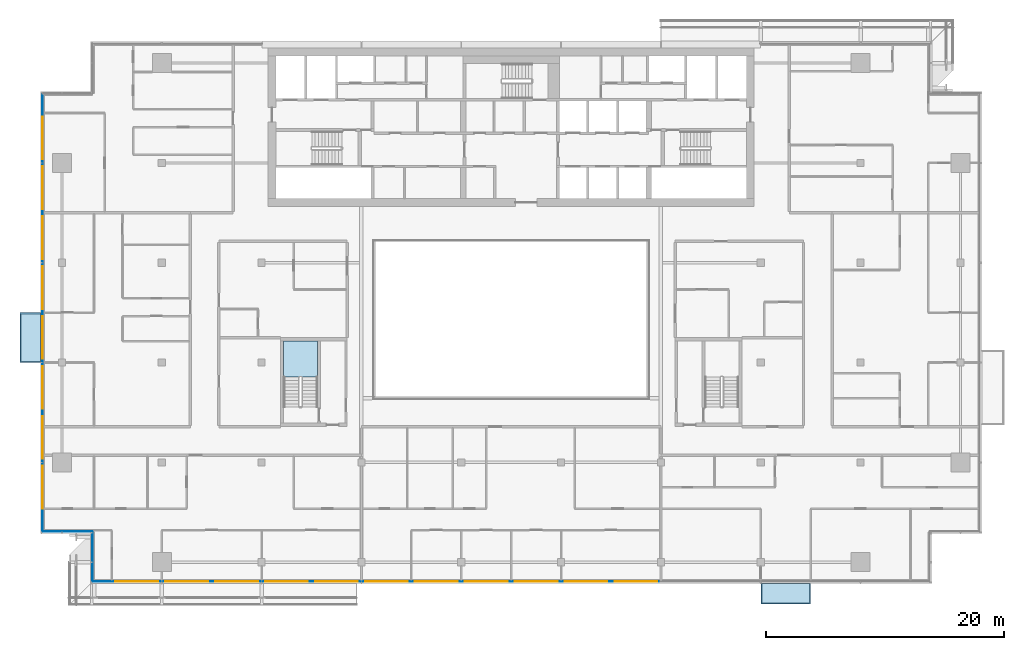
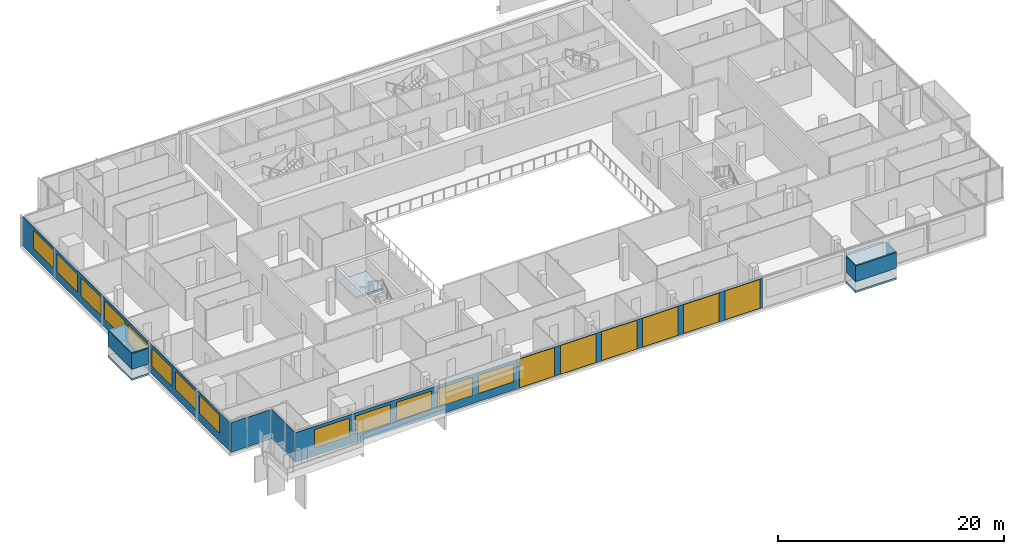
# One storey, part 14 of 29: 19 windows, 9 plates, 3 slabs, 19 openings, 5 elements without a shape of their own.
"""IFC4 building model written with IfcOpenShell, lengths in metres."""

from ifc_helpers import new_model, si_unit, direction, frame, frame_2d, origin, place, context, subcontext, project, spatial, polyline, rectangle, outline, extrude, material, layer, layer_set, type_object, element, fill, aggregate, save


model = new_model("IFC4")

# Units and contexts
model_context = context("Model", 3, precision=1e-05, world=origin(), true_north=direction((0.0, 1.0)))
body_context = subcontext(model_context, "Body", "Model", "MODEL_VIEW")
ifc_project = project(units=[si_unit("LENGTHUNIT", "METRE"), si_unit("AREAUNIT", "SQUARE_METRE"), si_unit("VOLUMEUNIT", "CUBIC_METRE"), si_unit("PLANEANGLEUNIT", "RADIAN"), si_unit("MASSUNIT", "GRAM", prefix="KILO")], contexts=[model_context])

# Site, building, storey
site_placement = place(None, origin())
site = spatial("IfcSite", under=ifc_project, at=site_placement, CompositionType="ELEMENT")
building_placement = place(site_placement, origin())
building = spatial("IfcBuilding", under=site, at=building_placement, Name="Saffron Gate Tower", CompositionType="ELEMENT")
storey_placement = place(building_placement, frame((0.0, 0.0, 227.10009765625)))
storey = spatial("IfcBuildingStorey", under=building, at=storey_placement, Name="L55", CompositionType="ELEMENT", Elevation=227.10009765625)

# Curtain wall, plates, openings, windows
ifc_material_1 = material(Name="Aluminium, bronze anodised", Category="aluminium")
curtain_wall_type_1 = type_object("IfcCurtainWallType", Name="CWS1 curtain wall front facade", PredefinedType="NOTDEFINED", material=ifc_material_1)
curtain_wall_1_placement = place(storey_placement, origin())
curtain_wall_1 = element("IfcCurtainWall", 1, at=curtain_wall_1_placement, inside=storey, type_object=curtain_wall_type_1, Name="CWS1 run 1", PredefinedType="NOTDEFINED")
ifc_material_2 = material(Name="Clear low-iron laminated glass", Category="glass")
ifc_layer_1 = layer(ifc_material_2, 0.028076171875)
ifc_layer_set_1 = layer_set([ifc_layer_1], Name="CWS1 clear glass")
plate_type_1 = type_object("IfcPlateType", Name="CWS1 clear glass", PredefinedType="CURTAIN_PANEL", material=ifc_layer_set_1)
plate_1_placement = place(storey_placement, frame((75.030029296875, 30.174072265625, 0.0), z_axis=(0.0, 0.0, 1.0), x_axis=(1.0, 0.0, 0.0)))
plate_1 = element("IfcPlate", 2, at=plate_1_placement, type_object=plate_type_1, Name="CWS1 clear glass panel", PredefinedType="CURTAIN_PANEL", context=body_context, shape_type="SweptSolid", body=[
    extrude(rectangle(XDim=25.139892578125, YDim=0.028076171875, at=frame_2d((12.56982421875, 0.0))), origin(), (0.0, 0.0, 1.0), 3.199951171875),
])
opening_1_placement = place(plate_1_placement, frame((0.27001953125, 0.0, 0.050048828125)))
opening_1 = element("IfcOpeningElement", 3, at=opening_1_placement, cuts=plate_1, Name="Opening WA", PredefinedType="OPENING", context=body_context, shape_type="SweptSolid", body=[
    extrude(rectangle(XDim=3.60009765625, YDim=3.10009765625, at=frame_2d((1.800048828125, 1.550048828125))), frame((0.0, 0.02392578125, 0.0), z_axis=(0.0, -1.0, 0.0), x_axis=(1.0, 0.0, 0.0)), (0.0, 0.0, 1.0), 0.048095703125),
])
opening_2_placement = place(plate_1_placement, frame((4.469970703125, 0.0, 0.050048828125)))
opening_2 = element("IfcOpeningElement", 4, at=opening_2_placement, cuts=plate_1, Name="Opening WA", PredefinedType="OPENING", context=body_context, shape_type="SweptSolid", body=[
    extrude(rectangle(XDim=3.60009765625, YDim=3.10009765625, at=frame_2d((1.800048828125, 1.550048828125))), frame((0.0, 0.02392578125, 0.0), z_axis=(0.0, -1.0, 0.0), x_axis=(1.0, 0.0, 0.0)), (0.0, 0.0, 1.0), 0.048095703125),
])
opening_3_placement = place(plate_1_placement, frame((8.669921875, 0.0, 0.050048828125)))
opening_3 = element("IfcOpeningElement", 5, at=opening_3_placement, cuts=plate_1, Name="Opening WA", PredefinedType="OPENING", context=body_context, shape_type="SweptSolid", body=[
    extrude(rectangle(XDim=3.60009765625, YDim=3.10009765625, at=frame_2d((1.800048828125, 1.550048828125))), frame((0.0, 0.02392578125, 0.0), z_axis=(0.0, -1.0, 0.0), x_axis=(1.0, 0.0, 0.0)), (0.0, 0.0, 1.0), 0.048095703125),
])
opening_4_placement = place(plate_1_placement, frame((12.8701171875, 0.0, 0.050048828125)))
opening_4 = element("IfcOpeningElement", 6, at=opening_4_placement, cuts=plate_1, Name="Opening WA", PredefinedType="OPENING", context=body_context, shape_type="SweptSolid", body=[
    extrude(rectangle(XDim=3.60009765625, YDim=3.10009765625, at=frame_2d((1.800048828125, 1.550048828125))), frame((0.0, 0.02392578125, 0.0), z_axis=(0.0, -1.0, 0.0), x_axis=(1.0, 0.0, 0.0)), (0.0, 0.0, 1.0), 0.048095703125),
])
opening_5_placement = place(plate_1_placement, frame((17.070068359375, 0.0, 0.050048828125)))
opening_5 = element("IfcOpeningElement", 7, at=opening_5_placement, cuts=plate_1, Name="Opening WA", PredefinedType="OPENING", context=body_context, shape_type="SweptSolid", body=[
    extrude(rectangle(XDim=3.60009765625, YDim=3.10009765625, at=frame_2d((1.800048828125, 1.550048828125))), frame((0.0, 0.02392578125, 0.0), z_axis=(0.0, -1.0, 0.0), x_axis=(1.0, 0.0, 0.0)), (0.0, 0.0, 1.0), 0.048095703125),
])
opening_6_placement = place(plate_1_placement, frame((21.27001953125, 0.0, 0.050048828125)))
opening_6 = element("IfcOpeningElement", 8, at=opening_6_placement, cuts=plate_1, Name="Opening WA", PredefinedType="OPENING", context=body_context, shape_type="SweptSolid", body=[
    extrude(rectangle(XDim=3.60009765625, YDim=3.10009765625, at=frame_2d((1.800048828125, 1.550048828125))), frame((0.0, 0.02392578125, 0.0), z_axis=(0.0, -1.0, 0.0), x_axis=(1.0, 0.0, 0.0)), (0.0, 0.0, 1.0), 0.048095703125),
])
ifc_material_3 = material(Name="Clear low-iron laminated glass in bronze frame", Category="glass")
ifc_layer_2 = layer(ifc_material_3, 0.06005859375)
ifc_layer_set_2 = layer_set([ifc_layer_2], Name="WA operable atrium unit 3600x3100")
window_type_1 = type_object("IfcWindowType", Name="WA operable atrium unit 3600x3100", PartitioningType="DOUBLE_PANEL_HORIZONTAL", PredefinedType="WINDOW", material=ifc_layer_set_2)
window_1_placement = place(opening_1_placement, origin())
window_1 = element("IfcWindow", 9, at=window_1_placement, type_object=window_type_1, Name="WA operable atrium unit", OverallHeight=3.10009765625, OverallWidth=3.60009765625, PartitioningType="SINGLE_PANEL", PredefinedType="WINDOW", context=body_context, shape_type="SweptSolid", body=[
    extrude(rectangle(XDim=3.60009765625, YDim=3.10009765625, at=frame_2d((1.800048828125, 1.550048828125))), frame((0.0, 0.013671875, 0.0), z_axis=(0.0, -1.0, 0.0), x_axis=(1.0, 0.0, 0.0)), (0.0, 0.0, 1.0), 0.027587890625),
])
fill(opening_1, window_1)
window_2_placement = place(opening_2_placement, origin())
window_2 = element("IfcWindow", 10, at=window_2_placement, type_object=window_type_1, Name="WA operable atrium unit", OverallHeight=3.10009765625, OverallWidth=3.60009765625, PartitioningType="SINGLE_PANEL", PredefinedType="WINDOW", context=body_context, shape_type="SweptSolid", body=[
    extrude(rectangle(XDim=3.60009765625, YDim=3.10009765625, at=frame_2d((1.800048828125, 1.550048828125))), frame((0.0, 0.013671875, 0.0), z_axis=(0.0, -1.0, 0.0), x_axis=(1.0, 0.0, 0.0)), (0.0, 0.0, 1.0), 0.027587890625),
])
fill(opening_2, window_2)
window_3_placement = place(opening_3_placement, origin())
window_3 = element("IfcWindow", 11, at=window_3_placement, type_object=window_type_1, Name="WA operable atrium unit", OverallHeight=3.10009765625, OverallWidth=3.60009765625, PartitioningType="SINGLE_PANEL", PredefinedType="WINDOW", context=body_context, shape_type="SweptSolid", body=[
    extrude(rectangle(XDim=3.60009765625, YDim=3.10009765625, at=frame_2d((1.800048828125, 1.550048828125))), frame((0.0, 0.013671875, 0.0), z_axis=(0.0, -1.0, 0.0), x_axis=(1.0, 0.0, 0.0)), (0.0, 0.0, 1.0), 0.027587890625),
])
fill(opening_3, window_3)
window_4_placement = place(opening_4_placement, origin())
window_4 = element("IfcWindow", 12, at=window_4_placement, type_object=window_type_1, Name="WA operable atrium unit", OverallHeight=3.10009765625, OverallWidth=3.60009765625, PartitioningType="SINGLE_PANEL", PredefinedType="WINDOW", context=body_context, shape_type="SweptSolid", body=[
    extrude(rectangle(XDim=3.60009765625, YDim=3.10009765625, at=frame_2d((1.800048828125, 1.550048828125))), frame((0.0, 0.013671875, 0.0), z_axis=(0.0, -1.0, 0.0), x_axis=(1.0, 0.0, 0.0)), (0.0, 0.0, 1.0), 0.027587890625),
])
fill(opening_4, window_4)
window_5_placement = place(opening_5_placement, origin())
window_5 = element("IfcWindow", 13, at=window_5_placement, type_object=window_type_1, Name="WA operable atrium unit", OverallHeight=3.10009765625, OverallWidth=3.60009765625, PartitioningType="SINGLE_PANEL", PredefinedType="WINDOW", context=body_context, shape_type="SweptSolid", body=[
    extrude(rectangle(XDim=3.60009765625, YDim=3.10009765625, at=frame_2d((1.800048828125, 1.550048828125))), frame((0.0, 0.013671875, 0.0), z_axis=(0.0, -1.0, 0.0), x_axis=(1.0, 0.0, 0.0)), (0.0, 0.0, 1.0), 0.027587890625),
])
fill(opening_5, window_5)
window_6_placement = place(opening_6_placement, origin())
window_6 = element("IfcWindow", 14, at=window_6_placement, type_object=window_type_1, Name="WA operable atrium unit", OverallHeight=3.10009765625, OverallWidth=3.60009765625, PartitioningType="SINGLE_PANEL", PredefinedType="WINDOW", context=body_context, shape_type="SweptSolid", body=[
    extrude(rectangle(XDim=3.60009765625, YDim=3.10009765625, at=frame_2d((1.800048828125, 1.550048828125))), frame((0.0, 0.013671875, 0.0), z_axis=(0.0, -1.0, 0.0), x_axis=(1.0, 0.0, 0.0)), (0.0, 0.0, 1.0), 0.027587890625),
])
fill(opening_6, window_6)
ifc_material_4 = material(Name="Fritted bronze-tinted laminated glass", Category="glass")
ifc_layer_3 = layer(ifc_material_4, 0.028076171875)
ifc_layer_set_3 = layer_set([ifc_layer_3], Name="CWS1 fixed glass")
plate_type_2 = type_object("IfcPlateType", Name="CWS1 fixed glass", PredefinedType="CURTAIN_PANEL", material=ifc_layer_set_3)
plate_2_placement = place(storey_placement, frame((52.387939453125, 30.174072265625, 0.0), z_axis=(0.0, 0.0, 1.0), x_axis=(1.0, 0.0, 0.0)))
plate_2 = element("IfcPlate", 15, at=plate_2_placement, type_object=plate_type_2, Name="CWS1 glass panel", PredefinedType="CURTAIN_PANEL", context=body_context, shape_type="SweptSolid", body=[
    extrude(rectangle(XDim=22.64208984375, YDim=0.028076171875, at=frame_2d((11.321044921875, 0.0))), origin(), (0.0, 0.0, 1.0), 3.199951171875),
])
opening_7_placement = place(plate_2_placement, frame((1.912109375, 0.0, 0.89990234375)))
opening_7 = element("IfcOpeningElement", 16, at=opening_7_placement, cuts=plate_2, Name="Opening W1", PredefinedType="OPENING", context=body_context, shape_type="SweptSolid", body=[
    extrude(rectangle(XDim=3.60009765625, YDim=1.949951171875, at=frame_2d((1.800048828125, 0.97509765625))), frame((0.0, 0.02392578125, 0.0), z_axis=(0.0, -1.0, 0.0), x_axis=(1.0, 0.0, 0.0)), (0.0, 0.0, 1.0), 0.048095703125),
])
opening_8_placement = place(plate_2_placement, frame((6.112060546875, 0.0, 0.89990234375)))
opening_8 = element("IfcOpeningElement", 17, at=opening_8_placement, cuts=plate_2, Name="Opening W1", PredefinedType="OPENING", context=body_context, shape_type="SweptSolid", body=[
    extrude(rectangle(XDim=3.60009765625, YDim=1.949951171875, at=frame_2d((1.800048828125, 0.97509765625))), frame((0.0, 0.02392578125, 0.0), z_axis=(0.0, -1.0, 0.0), x_axis=(1.0, 0.0, 0.0)), (0.0, 0.0, 1.0), 0.048095703125),
])
opening_9_placement = place(plate_2_placement, frame((10.31201171875, 0.0, 0.89990234375)))
opening_9 = element("IfcOpeningElement", 18, at=opening_9_placement, cuts=plate_2, Name="Opening W1", PredefinedType="OPENING", context=body_context, shape_type="SweptSolid", body=[
    extrude(rectangle(XDim=3.60009765625, YDim=1.949951171875, at=frame_2d((1.800048828125, 0.97509765625))), frame((0.0, 0.02392578125, 0.0), z_axis=(0.0, -1.0, 0.0), x_axis=(1.0, 0.0, 0.0)), (0.0, 0.0, 1.0), 0.048095703125),
])
opening_10_placement = place(plate_2_placement, frame((14.511962890625, 0.0, 0.89990234375)))
opening_10 = element("IfcOpeningElement", 19, at=opening_10_placement, cuts=plate_2, Name="Opening W1", PredefinedType="OPENING", context=body_context, shape_type="SweptSolid", body=[
    extrude(rectangle(XDim=3.60009765625, YDim=1.949951171875, at=frame_2d((1.800048828125, 0.97509765625))), frame((0.0, 0.02392578125, 0.0), z_axis=(0.0, -1.0, 0.0), x_axis=(1.0, 0.0, 0.0)), (0.0, 0.0, 1.0), 0.048095703125),
])
opening_11_placement = place(plate_2_placement, frame((18.7119140625, 0.0, 0.89990234375)))
opening_11 = element("IfcOpeningElement", 20, at=opening_11_placement, cuts=plate_2, Name="Opening W1", PredefinedType="OPENING", context=body_context, shape_type="SweptSolid", body=[
    extrude(rectangle(XDim=3.60009765625, YDim=1.949951171875, at=frame_2d((1.800048828125, 0.97509765625))), frame((0.0, 0.02392578125, 0.0), z_axis=(0.0, -1.0, 0.0), x_axis=(1.0, 0.0, 0.0)), (0.0, 0.0, 1.0), 0.048095703125),
])
ifc_material_5 = material(Name="Fritted bronze-tinted laminated glass in bronze frame", Category="glass")
ifc_layer_4 = layer(ifc_material_5, 0.06005859375)
ifc_layer_set_4 = layer_set([ifc_layer_4], Name="W1 operable panel 3600x1950")
window_type_2 = type_object("IfcWindowType", Name="W1 operable panel 3600x1950", PartitioningType="DOUBLE_PANEL_HORIZONTAL", PredefinedType="WINDOW", material=ifc_layer_set_4)
window_7_placement = place(opening_7_placement, origin())
window_7 = element("IfcWindow", 21, at=window_7_placement, type_object=window_type_2, Name="W1 operable panel", OverallHeight=1.949951171875, OverallWidth=3.60009765625, PartitioningType="SINGLE_PANEL", PredefinedType="WINDOW", context=body_context, shape_type="SweptSolid", body=[
    extrude(rectangle(XDim=3.60009765625, YDim=1.949951171875, at=frame_2d((1.800048828125, 0.97509765625))), frame((0.0, 0.013671875, 0.0), z_axis=(0.0, -1.0, 0.0), x_axis=(1.0, 0.0, 0.0)), (0.0, 0.0, 1.0), 0.027587890625),
])
fill(opening_7, window_7)
window_8_placement = place(opening_8_placement, origin())
window_8 = element("IfcWindow", 22, at=window_8_placement, type_object=window_type_2, Name="W1 operable panel", OverallHeight=1.949951171875, OverallWidth=3.60009765625, PartitioningType="SINGLE_PANEL", PredefinedType="WINDOW", context=body_context, shape_type="SweptSolid", body=[
    extrude(rectangle(XDim=3.60009765625, YDim=1.949951171875, at=frame_2d((1.800048828125, 0.97509765625))), frame((0.0, 0.013671875, 0.0), z_axis=(0.0, -1.0, 0.0), x_axis=(1.0, 0.0, 0.0)), (0.0, 0.0, 1.0), 0.027587890625),
])
fill(opening_8, window_8)
window_9_placement = place(opening_9_placement, origin())
window_9 = element("IfcWindow", 23, at=window_9_placement, type_object=window_type_2, Name="W1 operable panel", OverallHeight=1.949951171875, OverallWidth=3.60009765625, PartitioningType="SINGLE_PANEL", PredefinedType="WINDOW", context=body_context, shape_type="SweptSolid", body=[
    extrude(rectangle(XDim=3.60009765625, YDim=1.949951171875, at=frame_2d((1.800048828125, 0.97509765625))), frame((0.0, 0.013671875, 0.0), z_axis=(0.0, -1.0, 0.0), x_axis=(1.0, 0.0, 0.0)), (0.0, 0.0, 1.0), 0.027587890625),
])
fill(opening_9, window_9)
window_10_placement = place(opening_10_placement, origin())
window_10 = element("IfcWindow", 24, at=window_10_placement, type_object=window_type_2, Name="W1 operable panel", OverallHeight=1.949951171875, OverallWidth=3.60009765625, PartitioningType="SINGLE_PANEL", PredefinedType="WINDOW", context=body_context, shape_type="SweptSolid", body=[
    extrude(rectangle(XDim=3.60009765625, YDim=1.949951171875, at=frame_2d((1.800048828125, 0.97509765625))), frame((0.0, 0.013671875, 0.0), z_axis=(0.0, -1.0, 0.0), x_axis=(1.0, 0.0, 0.0)), (0.0, 0.0, 1.0), 0.027587890625),
])
fill(opening_10, window_10)
window_11_placement = place(opening_11_placement, origin())
window_11 = element("IfcWindow", 25, at=window_11_placement, type_object=window_type_2, Name="W1 operable panel", OverallHeight=1.949951171875, OverallWidth=3.60009765625, PartitioningType="SINGLE_PANEL", PredefinedType="WINDOW", context=body_context, shape_type="SweptSolid", body=[
    extrude(rectangle(XDim=3.60009765625, YDim=1.949951171875, at=frame_2d((1.800048828125, 0.97509765625))), frame((0.0, 0.013671875, 0.0), z_axis=(0.0, -1.0, 0.0), x_axis=(1.0, 0.0, 0.0)), (0.0, 0.0, 1.0), 0.027587890625),
])
fill(opening_11, window_11)
aggregate(curtain_wall_1, [plate_2, plate_1, window_7, window_8, window_9, window_10, window_11, window_1, window_2, window_3, window_4, window_5, window_6])

# Curtain wall, plate, openings, windows
curtain_wall_type_2 = type_object("IfcCurtainWallType", Name="CWS2 curtain wall side facades", PredefinedType="NOTDEFINED", material=ifc_material_1)
curtain_wall_2_placement = place(storey_placement, origin())
curtain_wall_2 = element("IfcCurtainWall", 26, at=curtain_wall_2_placement, inside=storey, type_object=curtain_wall_type_2, Name="CWS2 run 10", PredefinedType="NOTDEFINED")
ifc_layer_5 = layer(ifc_material_4, 0.028076171875)
ifc_layer_set_5 = layer_set([ifc_layer_5], Name="CWS2 fixed glass")
plate_type_3 = type_object("IfcPlateType", Name="CWS2 fixed glass", PredefinedType="CURTAIN_PANEL", material=ifc_layer_set_5)
plate_3_placement = place(storey_placement, frame((48.174072265625, 71.2119140625, 0.0), z_axis=(0.0, 0.0, 1.0), x_axis=(0.0, -1.0, 0.0)))
plate_3 = element("IfcPlate", 27, at=plate_3_placement, type_object=plate_type_3, Name="CWS2 glass panel", PredefinedType="CURTAIN_PANEL", context=body_context, shape_type="SweptSolid", body=[
    extrude(rectangle(XDim=36.823974609375, YDim=0.028076171875, at=frame_2d((18.412109375, 0.0))), origin(), (0.0, 0.0, 1.0), 3.199951171875),
])
opening_12_placement = place(plate_3_placement, frame((1.912109375, 0.0, 0.89990234375)))
opening_12 = element("IfcOpeningElement", 28, at=opening_12_placement, cuts=plate_3, Name="Opening W1", PredefinedType="OPENING", context=body_context, shape_type="SweptSolid", body=[
    extrude(rectangle(XDim=3.60009765625, YDim=1.949951171875, at=frame_2d((1.800048828125, 0.97509765625))), frame((0.0, 0.02392578125, 0.0), z_axis=(0.0, -1.0, 0.0), x_axis=(1.0, 0.0, 0.0)), (0.0, 0.0, 1.0), 0.048095703125),
])
opening_13_placement = place(plate_3_placement, frame((6.112060546875, 0.0, 0.89990234375)))
opening_13 = element("IfcOpeningElement", 29, at=opening_13_placement, cuts=plate_3, Name="Opening W1", PredefinedType="OPENING", context=body_context, shape_type="SweptSolid", body=[
    extrude(rectangle(XDim=3.60009765625, YDim=1.949951171875, at=frame_2d((1.800048828125, 0.97509765625))), frame((0.0, 0.02392578125, 0.0), z_axis=(0.0, -1.0, 0.0), x_axis=(1.0, 0.0, 0.0)), (0.0, 0.0, 1.0), 0.048095703125),
])
opening_14_placement = place(plate_3_placement, frame((10.31201171875, 0.0, 0.89990234375)))
opening_14 = element("IfcOpeningElement", 30, at=opening_14_placement, cuts=plate_3, Name="Opening W1", PredefinedType="OPENING", context=body_context, shape_type="SweptSolid", body=[
    extrude(rectangle(XDim=3.60009765625, YDim=1.949951171875, at=frame_2d((1.800048828125, 0.97509765625))), frame((0.0, 0.02392578125, 0.0), z_axis=(0.0, -1.0, 0.0), x_axis=(1.0, 0.0, 0.0)), (0.0, 0.0, 1.0), 0.048095703125),
])
opening_15_placement = place(plate_3_placement, frame((14.511962890625, 0.0, 0.89990234375)))
opening_15 = element("IfcOpeningElement", 31, at=opening_15_placement, cuts=plate_3, Name="Opening W1", PredefinedType="OPENING", context=body_context, shape_type="SweptSolid", body=[
    extrude(rectangle(XDim=3.60009765625, YDim=1.949951171875, at=frame_2d((1.800048828125, 0.97509765625))), frame((0.0, 0.02392578125, 0.0), z_axis=(0.0, -1.0, 0.0), x_axis=(1.0, 0.0, 0.0)), (0.0, 0.0, 1.0), 0.048095703125),
])
opening_16_placement = place(plate_3_placement, frame((18.7119140625, 0.0, 0.89990234375)))
opening_16 = element("IfcOpeningElement", 32, at=opening_16_placement, cuts=plate_3, Name="Opening W1", PredefinedType="OPENING", context=body_context, shape_type="SweptSolid", body=[
    extrude(rectangle(XDim=3.60009765625, YDim=1.949951171875, at=frame_2d((1.800048828125, 0.97509765625))), frame((0.0, 0.02392578125, 0.0), z_axis=(0.0, -1.0, 0.0), x_axis=(1.0, 0.0, 0.0)), (0.0, 0.0, 1.0), 0.048095703125),
])
opening_17_placement = place(plate_3_placement, frame((22.912109375, 0.0, 0.89990234375)))
opening_17 = element("IfcOpeningElement", 33, at=opening_17_placement, cuts=plate_3, Name="Opening W1", PredefinedType="OPENING", context=body_context, shape_type="SweptSolid", body=[
    extrude(rectangle(XDim=3.60009765625, YDim=1.949951171875, at=frame_2d((1.800048828125, 0.97509765625))), frame((0.0, 0.02392578125, 0.0), z_axis=(0.0, -1.0, 0.0), x_axis=(1.0, 0.0, 0.0)), (0.0, 0.0, 1.0), 0.048095703125),
])
opening_18_placement = place(plate_3_placement, frame((27.112060546875, 0.0, 0.89990234375)))
opening_18 = element("IfcOpeningElement", 34, at=opening_18_placement, cuts=plate_3, Name="Opening W1", PredefinedType="OPENING", context=body_context, shape_type="SweptSolid", body=[
    extrude(rectangle(XDim=3.60009765625, YDim=1.949951171875, at=frame_2d((1.800048828125, 0.97509765625))), frame((0.0, 0.02392578125, 0.0), z_axis=(0.0, -1.0, 0.0), x_axis=(1.0, 0.0, 0.0)), (0.0, 0.0, 1.0), 0.048095703125),
])
opening_19_placement = place(plate_3_placement, frame((31.31201171875, 0.0, 0.89990234375)))
opening_19 = element("IfcOpeningElement", 35, at=opening_19_placement, cuts=plate_3, Name="Opening W1", PredefinedType="OPENING", context=body_context, shape_type="SweptSolid", body=[
    extrude(rectangle(XDim=3.60009765625, YDim=1.949951171875, at=frame_2d((1.800048828125, 0.97509765625))), frame((0.0, 0.02392578125, 0.0), z_axis=(0.0, -1.0, 0.0), x_axis=(1.0, 0.0, 0.0)), (0.0, 0.0, 1.0), 0.048095703125),
])
window_12_placement = place(opening_12_placement, origin())
window_12 = element("IfcWindow", 36, at=window_12_placement, type_object=window_type_2, Name="W1 operable panel", OverallHeight=1.949951171875, OverallWidth=3.60009765625, PartitioningType="SINGLE_PANEL", PredefinedType="WINDOW", context=body_context, shape_type="SweptSolid", body=[
    extrude(rectangle(XDim=3.60009765625, YDim=1.949951171875, at=frame_2d((1.800048828125, 0.97509765625))), frame((0.0, 0.013671875, 0.0), z_axis=(0.0, -1.0, 0.0), x_axis=(1.0, 0.0, 0.0)), (0.0, 0.0, 1.0), 0.027587890625),
])
fill(opening_12, window_12)
window_13_placement = place(opening_13_placement, origin())
window_13 = element("IfcWindow", 37, at=window_13_placement, type_object=window_type_2, Name="W1 operable panel", OverallHeight=1.949951171875, OverallWidth=3.60009765625, PartitioningType="SINGLE_PANEL", PredefinedType="WINDOW", context=body_context, shape_type="SweptSolid", body=[
    extrude(rectangle(XDim=3.60009765625, YDim=1.949951171875, at=frame_2d((1.800048828125, 0.97509765625))), frame((0.0, 0.013671875, 0.0), z_axis=(0.0, -1.0, 0.0), x_axis=(1.0, 0.0, 0.0)), (0.0, 0.0, 1.0), 0.027587890625),
])
fill(opening_13, window_13)
window_14_placement = place(opening_14_placement, origin())
window_14 = element("IfcWindow", 38, at=window_14_placement, type_object=window_type_2, Name="W1 operable panel", OverallHeight=1.949951171875, OverallWidth=3.60009765625, PartitioningType="SINGLE_PANEL", PredefinedType="WINDOW", context=body_context, shape_type="SweptSolid", body=[
    extrude(rectangle(XDim=3.60009765625, YDim=1.949951171875, at=frame_2d((1.800048828125, 0.97509765625))), frame((0.0, 0.013671875, 0.0), z_axis=(0.0, -1.0, 0.0), x_axis=(1.0, 0.0, 0.0)), (0.0, 0.0, 1.0), 0.027587890625),
])
fill(opening_14, window_14)
window_15_placement = place(opening_15_placement, origin())
window_15 = element("IfcWindow", 39, at=window_15_placement, type_object=window_type_2, Name="W1 operable panel", OverallHeight=1.949951171875, OverallWidth=3.60009765625, PartitioningType="SINGLE_PANEL", PredefinedType="WINDOW", context=body_context, shape_type="SweptSolid", body=[
    extrude(rectangle(XDim=3.60009765625, YDim=1.949951171875, at=frame_2d((1.800048828125, 0.97509765625))), frame((0.0, 0.013671875, 0.0), z_axis=(0.0, -1.0, 0.0), x_axis=(1.0, 0.0, 0.0)), (0.0, 0.0, 1.0), 0.027587890625),
])
fill(opening_15, window_15)
window_16_placement = place(opening_16_placement, origin())
window_16 = element("IfcWindow", 40, at=window_16_placement, type_object=window_type_2, Name="W1 operable panel", OverallHeight=1.949951171875, OverallWidth=3.60009765625, PartitioningType="SINGLE_PANEL", PredefinedType="WINDOW", context=body_context, shape_type="SweptSolid", body=[
    extrude(rectangle(XDim=3.60009765625, YDim=1.949951171875, at=frame_2d((1.800048828125, 0.97509765625))), frame((0.0, 0.013671875, 0.0), z_axis=(0.0, -1.0, 0.0), x_axis=(1.0, 0.0, 0.0)), (0.0, 0.0, 1.0), 0.027587890625),
])
fill(opening_16, window_16)
window_17_placement = place(opening_17_placement, origin())
window_17 = element("IfcWindow", 41, at=window_17_placement, type_object=window_type_2, Name="W1 operable panel", OverallHeight=1.949951171875, OverallWidth=3.60009765625, PartitioningType="SINGLE_PANEL", PredefinedType="WINDOW", context=body_context, shape_type="SweptSolid", body=[
    extrude(rectangle(XDim=3.60009765625, YDim=1.949951171875, at=frame_2d((1.800048828125, 0.97509765625))), frame((0.0, 0.013671875, 0.0), z_axis=(0.0, -1.0, 0.0), x_axis=(1.0, 0.0, 0.0)), (0.0, 0.0, 1.0), 0.027587890625),
])
fill(opening_17, window_17)
window_18_placement = place(opening_18_placement, origin())
window_18 = element("IfcWindow", 42, at=window_18_placement, type_object=window_type_2, Name="W1 operable panel", OverallHeight=1.949951171875, OverallWidth=3.60009765625, PartitioningType="SINGLE_PANEL", PredefinedType="WINDOW", context=body_context, shape_type="SweptSolid", body=[
    extrude(rectangle(XDim=3.60009765625, YDim=1.949951171875, at=frame_2d((1.800048828125, 0.97509765625))), frame((0.0, 0.013671875, 0.0), z_axis=(0.0, -1.0, 0.0), x_axis=(1.0, 0.0, 0.0)), (0.0, 0.0, 1.0), 0.027587890625),
])
fill(opening_18, window_18)
window_19_placement = place(opening_19_placement, origin())
window_19 = element("IfcWindow", 43, at=window_19_placement, type_object=window_type_2, Name="W1 operable panel", OverallHeight=1.949951171875, OverallWidth=3.60009765625, PartitioningType="SINGLE_PANEL", PredefinedType="WINDOW", context=body_context, shape_type="SweptSolid", body=[
    extrude(rectangle(XDim=3.60009765625, YDim=1.949951171875, at=frame_2d((1.800048828125, 0.97509765625))), frame((0.0, 0.013671875, 0.0), z_axis=(0.0, -1.0, 0.0), x_axis=(1.0, 0.0, 0.0)), (0.0, 0.0, 1.0), 0.027587890625),
])
fill(opening_19, window_19)
aggregate(curtain_wall_2, [plate_3, window_12, window_13, window_14, window_15, window_16, window_17, window_18, window_19])

# Curtain wall, plate
curtain_wall_type_3 = type_object("IfcCurtainWallType", Name="CWS4 curtain wall corner returns", PredefinedType="NOTDEFINED", material=ifc_material_1)
curtain_wall_3_placement = place(storey_placement, origin())
curtain_wall_3 = element("IfcCurtainWall", 44, at=curtain_wall_3_placement, inside=storey, type_object=curtain_wall_type_3, Name="CWS4 run 11", PredefinedType="NOTDEFINED")
ifc_layer_6 = layer(ifc_material_4, 0.028076171875)
ifc_layer_set_6 = layer_set([ifc_layer_6], Name="CWS4 fixed glass")
plate_type_4 = type_object("IfcPlateType", Name="CWS4 fixed glass", PredefinedType="CURTAIN_PANEL", material=ifc_layer_set_6)
plate_4_placement = place(storey_placement, frame((48.18798828125, 34.3740234375, 0.0), z_axis=(0.0, 0.0, 1.0), x_axis=(1.0, 0.0, 0.0)))
plate_4 = element("IfcPlate", 45, at=plate_4_placement, type_object=plate_type_4, Name="CWS4 glass panel", PredefinedType="CURTAIN_PANEL", context=body_context, shape_type="SweptSolid", body=[
    extrude(rectangle(XDim=4.172119140625, YDim=0.028076171875, at=frame_2d((2.0859375, 0.0))), origin(), (0.0, 0.0, 1.0), 3.199951171875),
])
aggregate(curtain_wall_3, [plate_4])

curtain_wall_4_placement = place(storey_placement, origin())
curtain_wall_4 = element("IfcCurtainWall", 46, at=curtain_wall_4_placement, inside=storey, type_object=curtain_wall_type_3, Name="CWS4 run 12", PredefinedType="NOTDEFINED")
plate_5_placement = place(storey_placement, frame((52.3740234375, 34.360107421875, 0.0), z_axis=(0.0, 0.0, 1.0), x_axis=(0.0, -1.0, 0.0)))
plate_5 = element("IfcPlate", 47, at=plate_5_placement, type_object=plate_type_4, Name="CWS4 glass panel", PredefinedType="CURTAIN_PANEL", context=body_context, shape_type="SweptSolid", body=[
    extrude(rectangle(XDim=4.172119140625, YDim=0.028076171875, at=frame_2d((2.0859375, 0.0))), origin(), (0.0, 0.0, 1.0), 3.199951171875),
])
aggregate(curtain_wall_4, [plate_5])

# Stair, slab
ifc_material_6 = material(Name="Concrete C40", Category="concrete")
stair_type = type_object("IfcStairType", Name="ST7 Stair 1350 wide, 20 risers of 180", PredefinedType="HALF_TURN_STAIR", material=ifc_material_6)
stair_placement = place(storey_placement, origin())
stair = element("IfcStair", 48, at=stair_placement, inside=storey, type_object=stair_type, Name="L55 Exit stair D", PredefinedType="HALF_TURN_STAIR")
ifc_layer_7 = layer(ifc_material_6, 0.199951171875)
ifc_layer_set_7 = layer_set([ifc_layer_7], Name="SL1 Stair landing 200")
slab_type_1 = type_object("IfcSlabType", Name="SL1 Stair landing 200", PredefinedType="LANDING", material=ifc_layer_set_7)
slab_1_placement = place(storey_placement, frame((0.0, 0.0, 1.599853515625)))
slab_1 = element("IfcSlab", 49, at=slab_1_placement, type_object=slab_type_1, Name="ST-D landing 1", PredefinedType="LANDING", context=body_context, shape_type="SweptSolid", body=[
    extrude(outline(polyline([(71.300048828125, 47.3701171875), (71.300048828125, 50.39990234375), (68.449951171875, 50.39990234375), (68.449951171875, 47.3701171875), (71.300048828125, 47.3701171875)])), origin(), (0.0, 0.0, 1.0), 0.199951171875),
])
aggregate(stair, [slab_1])

# Slabs
ifc_material_7 = material(Name="Timber deck on bronze frame", Category="wood")
ifc_layer_8 = layer(ifc_material_7, 0.199951171875)
ifc_layer_set_8 = layer_set([ifc_layer_8], Name="WB1 box floor")
slab_type_2 = type_object("IfcSlabType", Name="WB1 box floor", PredefinedType="FLOOR", material=ifc_layer_set_8)
slab_2_placement = place(storey_placement, frame((0.0, 0.0, -0.2001953125)))
element("IfcSlab", 50, at=slab_2_placement, inside=storey, type_object=slab_type_2, Name="WINDOW BOX floor", PredefinedType="FLOOR", context=body_context, shape_type="SweptSolid", body=[
    extrude(outline(polyline([(108.60009765625, 30.0), (112.800048828125, 30.0), (112.800048828125, 28.26708984375), (108.60009765625, 28.26708984375), (108.60009765625, 30.0)])), origin(), (0.0, 0.0, 1.0), 0.2001953125),
])
slab_3_placement = place(storey_placement, frame((0.0, 0.0, -0.2001953125)))
element("IfcSlab", 51, at=slab_3_placement, inside=storey, type_object=slab_type_2, Name="WINDOW BOX floor", PredefinedType="FLOOR", context=body_context, shape_type="SweptSolid", body=[
    extrude(outline(polyline([(48.0, 52.800048828125), (48.0, 48.60009765625), (46.26708984375, 48.60009765625), (46.26708984375, 52.800048828125), (48.0, 52.800048828125)])), origin(), (0.0, 0.0, 1.0), 0.2001953125),
])

# Plates
ifc_layer_9 = layer(ifc_material_1, 0.1201171875)
ifc_layer_set_9 = layer_set([ifc_layer_9], Name="WB2 box roof")
plate_type_5 = type_object("IfcPlateType", Name="WB2 box roof", PredefinedType="SHEET", material=ifc_layer_set_9)
plate_6_placement = place(storey_placement, frame((0.0, 0.0, 2.699951171875)))
element("IfcPlate", 52, at=plate_6_placement, inside=storey, type_object=plate_type_5, Name="WINDOW BOX roof", PredefinedType="SHEET", context=body_context, shape_type="SweptSolid", body=[
    extrude(outline(polyline([(108.60009765625, 30.0), (112.800048828125, 30.0), (112.800048828125, 28.26708984375), (108.60009765625, 28.26708984375), (108.60009765625, 30.0)])), origin(), (0.0, 0.0, 1.0), 0.119873046875),
])
plate_7_placement = place(storey_placement, frame((0.0, 0.0, 2.699951171875)))
element("IfcPlate", 53, at=plate_7_placement, inside=storey, type_object=plate_type_5, Name="WINDOW BOX roof", PredefinedType="SHEET", context=body_context, shape_type="SweptSolid", body=[
    extrude(outline(polyline([(48.0, 52.800048828125), (48.0, 48.60009765625), (46.26708984375, 48.60009765625), (46.26708984375, 52.800048828125), (48.0, 52.800048828125)])), origin(), (0.0, 0.0, 1.0), 0.119873046875),
])
ifc_layer_10 = layer(ifc_material_2, 0.10009765625)
ifc_layer_set_10 = layer_set([ifc_layer_10], Name="WB6 box glazing")
plate_type_6 = type_object("IfcPlateType", Name="WB6 box glazing", PredefinedType="SHEET", material=ifc_layer_set_10)
plate_8_placement = place(storey_placement, frame((0.0, 0.0, 1.0)))
element("IfcPlate", 54, at=plate_8_placement, inside=storey, type_object=plate_type_6, Name="WINDOW BOX glazing", PredefinedType="SHEET", context=body_context, shape_type="SweptSolid", body=[
    extrude(outline(polyline([(108.60009765625, 30.0), (108.699951171875, 30.0), (108.699951171875, 28.366943359375), (112.699951171875, 28.366943359375), (112.699951171875, 30.0), (112.800048828125, 30.0), (112.800048828125, 28.26708984375), (108.60009765625, 28.26708984375), (108.60009765625, 30.0)])), origin(), (0.0, 0.0, 1.0), 1.699951171875),
])
plate_9_placement = place(storey_placement, frame((0.0, 0.0, 1.0)))
element("IfcPlate", 55, at=plate_9_placement, inside=storey, type_object=plate_type_6, Name="WINDOW BOX glazing", PredefinedType="SHEET", context=body_context, shape_type="SweptSolid", body=[
    extrude(outline(polyline([(48.0, 52.800048828125), (48.0, 52.699951171875), (46.366943359375, 52.699951171875), (46.366943359375, 48.699951171875), (48.0, 48.699951171875), (48.0, 48.60009765625), (46.26708984375, 48.60009765625), (46.26708984375, 52.800048828125), (48.0, 52.800048828125)])), origin(), (0.0, 0.0, 1.0), 1.699951171875),
])

save(model, "model.ifc")
